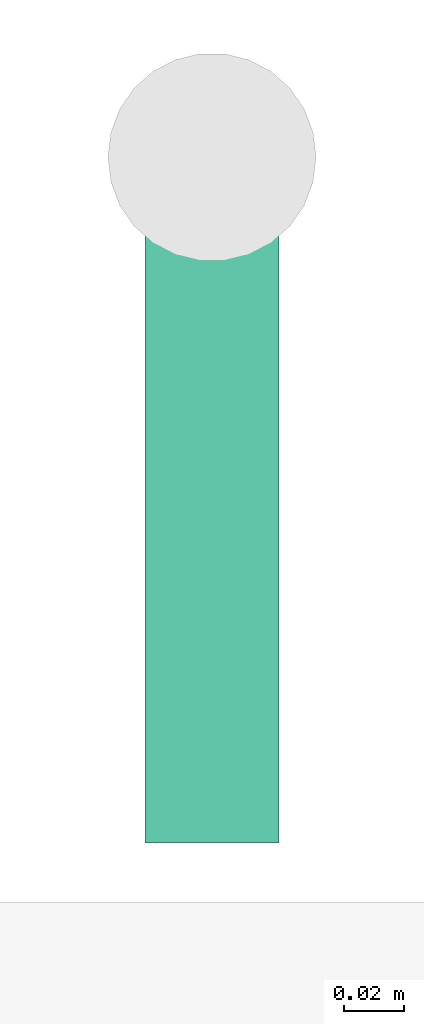
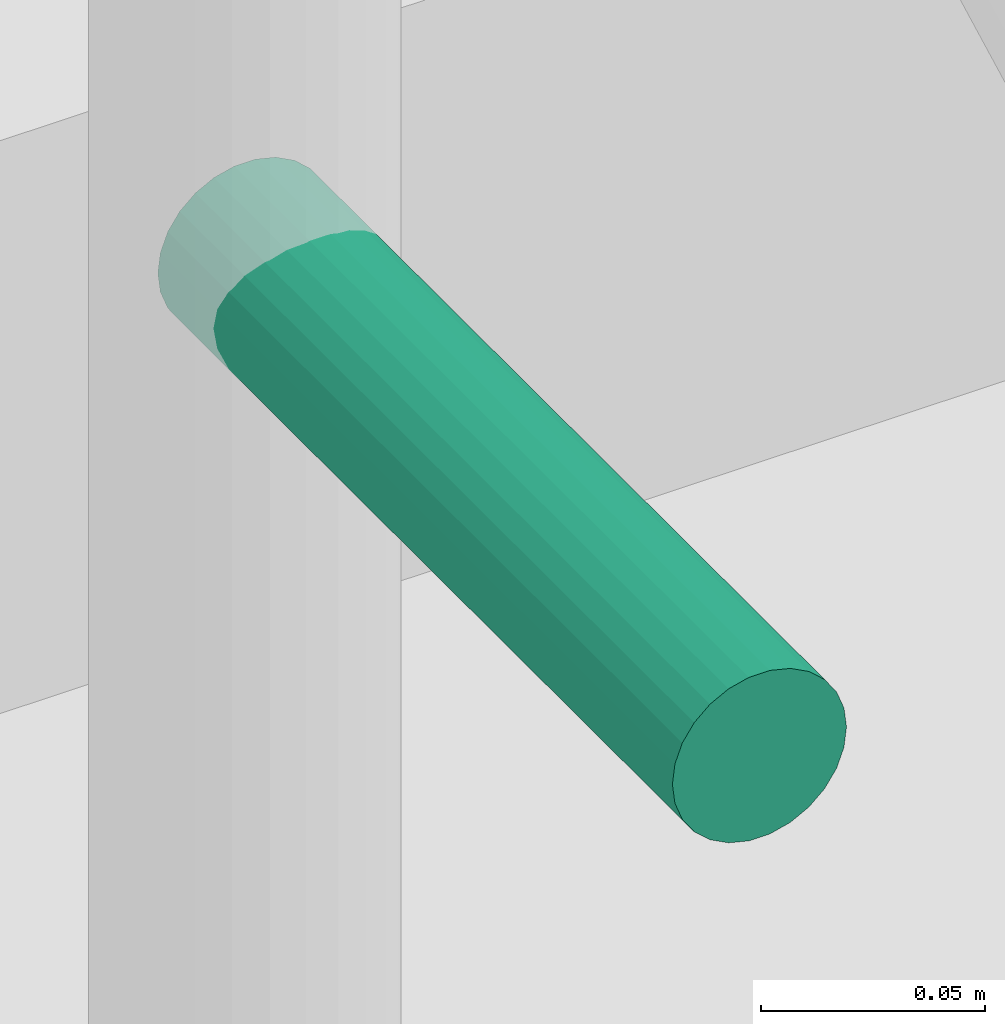
# One storey, part 34 of 36: 1 pipe fitting.
"""IFC4 building model written with IfcOpenShell, lengths in metres."""

from ifc_helpers import new_model, si_unit, direction, frame, origin, origin_2d, place, context, subcontext, project, spatial, circle, extrude, element, save


model = new_model("IFC4")

# Units and contexts
model_context = context("Model", 3, precision=1e-05, world=origin(), true_north=direction((0.0, 1.0)))
body_context = subcontext(model_context, "Body", "Model", "MODEL_VIEW")
ifc_project = project(units=[si_unit("LENGTHUNIT", "METRE"), si_unit("AREAUNIT", "SQUARE_METRE"), si_unit("VOLUMEUNIT", "CUBIC_METRE"), si_unit("PLANEANGLEUNIT", "RADIAN"), si_unit("MASSUNIT", "GRAM", prefix="KILO")], contexts=[model_context])

# Site, building, storey
site_placement = place(None, origin())
site = spatial("IfcSite", under=ifc_project, at=site_placement, CompositionType="ELEMENT")
building_placement = place(site_placement, origin())
building = spatial("IfcBuilding", under=site, at=building_placement, Name="Nzadi Deep Aquarium and Research Tower", CompositionType="ELEMENT")
storey_placement = place(building_placement, frame((0.0, 0.0, 14.199951171875)))
storey = spatial("IfcBuildingStorey", under=building, at=storey_placement, Name="L02", CompositionType="ELEMENT", Elevation=14.199951171875)

# Pipe fitting
pipe_fitting_placement = place(storey_placement, frame((55.300048828125, 68.9599609375, 1.10009765625), z_axis=(0.0, -1.0, 0.0), x_axis=(1.0, 0.0, 0.0)))
element("IfcPipeFitting", 1, at=pipe_fitting_placement, inside=storey, Name="Dry riser outlet ST-Z2-E L02", PredefinedType="EXIT", context=body_context, shape_type="SweptSolid", body=[
    extrude(circle(Radius=0.0224609375, at=origin_2d()), origin(), (0.0, 0.0, 1.0), 0.22998046875),
])

save(model, "model.ifc")
